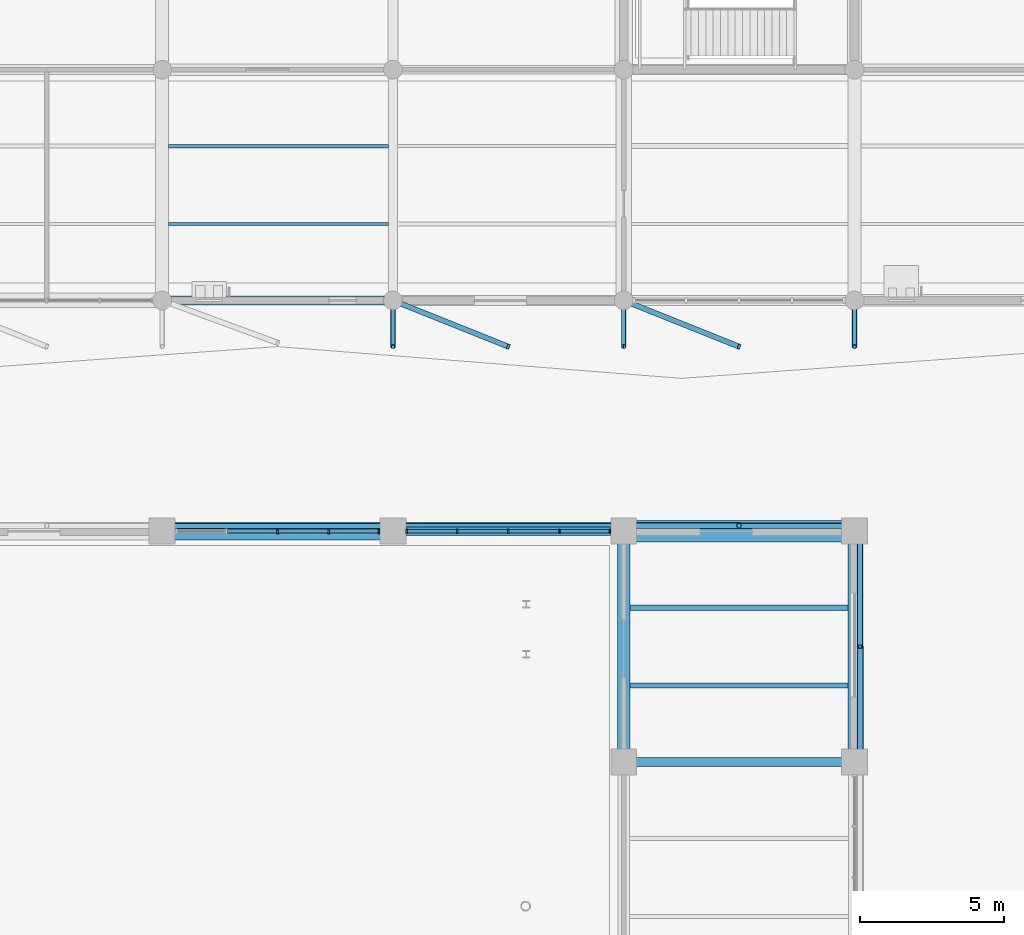
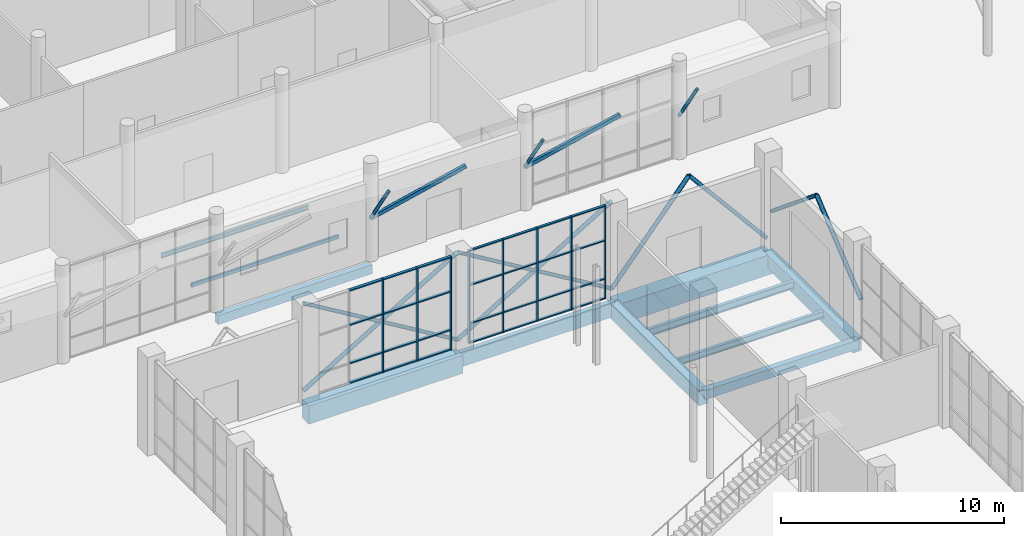
# One storey, part 57 of 123: 49 members, 11 beams, 2 elements without a shape of their own.
"""IFC4 building model written with IfcOpenShell, lengths in metres."""

from ifc_helpers import new_model, si_unit, direction, frame, origin, origin_2d, place, context, subcontext, project, spatial, rectangle, hollow_rectangle, hollow_circle, i_section, extrude, material, material_profile, profile_set, type_object, element, aggregate, save


model = new_model("IFC4")

# Units and contexts
model_context = context("Model", 3, precision=1e-05, world=origin(), true_north=direction((0.0, 1.0)))
body_context = subcontext(model_context, "Body", "Model", "MODEL_VIEW")
ifc_project = project(units=[si_unit("LENGTHUNIT", "METRE"), si_unit("AREAUNIT", "SQUARE_METRE"), si_unit("VOLUMEUNIT", "CUBIC_METRE"), si_unit("PLANEANGLEUNIT", "RADIAN"), si_unit("MASSUNIT", "GRAM", prefix="KILO")], contexts=[model_context])

# Site, building, storey
site_placement = place(None, origin())
site = spatial("IfcSite", under=ifc_project, at=site_placement, CompositionType="ELEMENT")
building_placement = place(site_placement, origin())
building = spatial("IfcBuilding", under=site, at=building_placement, Name="Tenunan Teduh Sports Hall", CompositionType="ELEMENT")
storey_placement = place(building_placement, origin())
storey = spatial("IfcBuildingStorey", under=building, at=storey_placement, Name="L00", CompositionType="ELEMENT", Elevation=0.0)

# Beams
ifc_material_1 = material(Name="Concrete C40/50", Category="concrete")
ifc_material_profile_1 = material_profile(ifc_material_1, rectangle(XDim=0.300048828125, YDim=0.5, at=origin_2d()), Name="RCB 300x500")
ifc_profile_set_1 = profile_set([ifc_material_profile_1], Name="Concrete C40/50")
beam_type_1 = type_object("IfcBeamType", Name="BM-RC-300x500", PredefinedType="BEAM", material=ifc_profile_set_1)
for number, where, z_axis, x_axis, name in (
    (1, (146.0, 70.0, -0.550048828125), (1.0, 0.0, 0.0), (0.0, 1.0, 0.0), "BM-B-01-L00-0673"),
    (2, (130.0, 86.0, -0.530029296875), (1.0, 0.0, 0.0), (0.0, 1.0, 0.0), "BM-B-01-L00-0695"),
):
    element("IfcBeam", number, at=place(storey_placement, frame(where, z_axis=z_axis, x_axis=x_axis)), inside=storey, type_object=beam_type_1, Name=name, PredefinedType="BEAM", context=body_context, shape_type="SweptSolid", body=[
        extrude(rectangle(XDim=0.300048828125, YDim=0.5, at=origin_2d()), origin(), (0.0, 0.0, 1.0), 8.0),
    ])
ifc_material_2 = material(Name="Concrete C40/50", Category="concrete")
ifc_material_profile_2 = material_profile(ifc_material_2, rectangle(XDim=0.449951171875, YDim=0.75, at=origin_2d()), Name="RCB 450x750")
ifc_profile_set_2 = profile_set([ifc_material_profile_2], Name="Concrete C40/50")
beam_type_2 = type_object("IfcBeamType", Name="BM-RC-450x750", PredefinedType="BEAM", material=ifc_profile_set_2)
beam_1_placement = place(storey_placement, frame((154.0, 70.0, -0.675048828125), z_axis=(0.0, 1.0, 0.0), x_axis=(-1.0, 0.0, 0.0)))
element("IfcBeam", 3, at=beam_1_placement, inside=storey, type_object=beam_type_2, Name="BM-B-11-L00-0881", PredefinedType="BEAM", context=body_context, shape_type="SweptSolid", body=[
    extrude(rectangle(XDim=0.449951171875, YDim=0.75, at=origin_2d()), origin(), (0.0, 0.0, 1.0), 8.0),
])
ifc_material_3 = material(Name="Concrete C40/50", Category="concrete")
ifc_material_profile_3 = material_profile(ifc_material_3, rectangle(XDim=0.449951171875, YDim=0.85009765625, at=origin_2d()), Name="RCB 450x850")
ifc_profile_set_3 = profile_set([ifc_material_profile_3], Name="Concrete C40/50")
beam_type_3 = type_object("IfcBeamType", Name="BM-RC-450x850", PredefinedType="BEAM", material=ifc_profile_set_3)
beam_2_placement = place(storey_placement, frame((146.0, 70.0, -0.72509765625), z_axis=(0.0, 1.0, 0.0), x_axis=(-1.0, 0.0, 0.0)))
element("IfcBeam", 4, at=beam_2_placement, inside=storey, type_object=beam_type_3, Name="BM-B-13-L00-0872", PredefinedType="BEAM", context=body_context, shape_type="SweptSolid", body=[
    extrude(rectangle(XDim=0.449951171875, YDim=0.85009765625, at=origin_2d()), origin(), (0.0, 0.0, 1.0), 8.0),
])
ifc_material_4 = material(Name="Concrete C40/50", Category="concrete")
ifc_material_profile_4 = material_profile(ifc_material_4, rectangle(XDim=0.60009765625, YDim=1.0, at=origin_2d()), Name="RCB 600x1000")
ifc_profile_set_4 = profile_set([ifc_material_profile_4], Name="Concrete C40/50")
beam_type_4 = type_object("IfcBeamType", Name="BM-RC-600x1000", PredefinedType="BEAM", material=ifc_profile_set_4)
beam_3_placement = place(storey_placement, frame((130.0, 78.0, -0.800048828125), z_axis=(1.0, 0.0, 0.0), x_axis=(0.0, 1.0, 0.0)))
element("IfcBeam", 5, at=beam_3_placement, inside=storey, type_object=beam_type_4, Name="BM-B-18-L00-0680", PredefinedType="BEAM", context=body_context, shape_type="SweptSolid", body=[
    extrude(rectangle(XDim=0.60009765625, YDim=1.0, at=origin_2d()), origin(), (0.0, 0.0, 1.0), 8.0),
])
ifc_material_5 = material(Name="Concrete C40/50", Category="concrete")
ifc_material_profile_5 = material_profile(ifc_material_5, rectangle(XDim=0.75, YDim=1.10009765625, at=origin_2d()), Name="RCB 750x1100")
ifc_profile_set_5 = profile_set([ifc_material_profile_5], Name="Concrete C40/50")
beam_type_5 = type_object("IfcBeamType", Name="BM-RC-750x1100", PredefinedType="SPANDREL", material=ifc_profile_set_5)
beam_4_placement = place(storey_placement, frame((146.0, 78.0, -0.85009765625), z_axis=(1.0, 0.0, 0.0), x_axis=(0.0, 1.0, 0.0)))
element("IfcBeam", 6, at=beam_4_placement, inside=storey, type_object=beam_type_5, Name="BM-B-20-L00-0682", PredefinedType="SPANDREL", context=body_context, shape_type="SweptSolid", body=[
    extrude(rectangle(XDim=0.75, YDim=1.10009765625, at=origin_2d()), origin(), (0.0, 0.0, 1.0), 8.0),
])
ifc_material_6 = material(Name="Concrete C40/50", Category="concrete")
ifc_material_profile_6 = material_profile(ifc_material_6, rectangle(XDim=0.300048828125, YDim=0.75, at=origin_2d()), Name="SPB 300x750")
ifc_profile_set_6 = profile_set([ifc_material_profile_6], Name="Concrete C40/50")
beam_type_6 = type_object("IfcBeamType", Name="BM-SP-300x750", PredefinedType="SPANDREL", material=ifc_profile_set_6)
beam_5_placement = place(storey_placement, frame((138.0, 78.0, -0.675048828125), z_axis=(1.0, 0.0, 0.0), x_axis=(0.0, 1.0, 0.0)))
element("IfcBeam", 7, at=beam_5_placement, inside=storey, type_object=beam_type_6, Name="BM-SP-01-L00-0681", PredefinedType="SPANDREL", context=body_context, shape_type="SweptSolid", body=[
    extrude(rectangle(XDim=0.300048828125, YDim=0.75, at=origin_2d()), origin(), (0.0, 0.0, 1.0), 8.0),
])

# Curtain wall, members
ifc_material_7 = material(Name="Anodised aluminium", Category="aluminium")
curtain_wall_type = type_object("IfcCurtainWallType", Name="CW-UNIT-1", PredefinedType="NOTDEFINED", material=ifc_material_7)
curtain_wall_1_placement = place(storey_placement, origin())
curtain_wall_1 = element("IfcCurtainWall", 8, at=curtain_wall_1_placement, inside=storey, type_object=curtain_wall_type, Name="CW-CWM-150-L00-111", PredefinedType="NOTDEFINED")
ifc_material_8 = material(Name="Anodised aluminium", Category="aluminium")
ifc_material_profile_7 = material_profile(ifc_material_8, rectangle(XDim=0.06005859375, YDim=0.14990234375, at=origin_2d()), Name="CWM 60x150")
ifc_profile_set_7 = profile_set([ifc_material_profile_7], Name="Anodised aluminium")
member_type_1 = type_object("IfcMemberType", Name="CWM-150", PredefinedType="MULLION", material=ifc_profile_set_7)
member_1_placement = place(storey_placement, frame((138.47998046875, 78.0, 0.0), z_axis=(0.0, 0.0, 1.0), x_axis=(1.0, 0.0, 0.0)))
member_1 = element("IfcMember", 9, at=member_1_placement, type_object=member_type_1, Name="CW-01 mullion 1", PredefinedType="MULLION", context=body_context, shape_type="SweptSolid", body=[
    extrude(rectangle(XDim=0.06005859375, YDim=0.14990234375, at=origin_2d()), origin(), (0.0, 0.0, 1.0), 5.1201171875),
])
member_2_placement = place(storey_placement, frame((140.22509765625, 78.0, 0.0), z_axis=(0.0, 0.0, 1.0), x_axis=(1.0, 0.0, 0.0)))
member_2 = element("IfcMember", 10, at=member_2_placement, type_object=member_type_1, Name="CW-01 mullion 2", PredefinedType="MULLION", context=body_context, shape_type="SweptSolid", body=[
    extrude(rectangle(XDim=0.06005859375, YDim=0.14990234375, at=origin_2d()), origin(), (0.0, 0.0, 1.0), 5.1201171875),
])
member_3_placement = place(storey_placement, frame((142.0, 78.0, 0.0), z_axis=(0.0, 0.0, 1.0), x_axis=(1.0, 0.0, 0.0)))
member_3 = element("IfcMember", 11, at=member_3_placement, type_object=member_type_1, Name="CW-01 mullion 3", PredefinedType="MULLION", context=body_context, shape_type="SweptSolid", body=[
    extrude(rectangle(XDim=0.06005859375, YDim=0.14990234375, at=origin_2d()), origin(), (0.0, 0.0, 1.0), 5.1201171875),
])
member_4_placement = place(storey_placement, frame((143.77490234375, 78.0, 0.0), z_axis=(0.0, 0.0, 1.0), x_axis=(1.0, 0.0, 0.0)))
member_4 = element("IfcMember", 12, at=member_4_placement, type_object=member_type_1, Name="CW-01 mullion 4", PredefinedType="MULLION", context=body_context, shape_type="SweptSolid", body=[
    extrude(rectangle(XDim=0.06005859375, YDim=0.14990234375, at=origin_2d()), origin(), (0.0, 0.0, 1.0), 5.1201171875),
])
member_5_placement = place(storey_placement, frame((145.52001953125, 78.0, 0.0), z_axis=(0.0, 0.0, 1.0), x_axis=(1.0, 0.0, 0.0)))
member_5 = element("IfcMember", 13, at=member_5_placement, type_object=member_type_1, Name="CW-01 mullion 5", PredefinedType="MULLION", context=body_context, shape_type="SweptSolid", body=[
    extrude(rectangle(XDim=0.06005859375, YDim=0.14990234375, at=origin_2d()), origin(), (0.0, 0.0, 1.0), 5.1201171875),
])

curtain_wall_2_placement = place(storey_placement, origin())
curtain_wall_2 = element("IfcCurtainWall", 14, at=curtain_wall_2_placement, inside=storey, type_object=curtain_wall_type, Name="CW-CWM-175-L00-110", PredefinedType="NOTDEFINED")
ifc_material_9 = material(Name="Anodised aluminium", Category="aluminium")
ifc_material_profile_8 = material_profile(ifc_material_9, rectangle(XDim=0.06494140625, YDim=0.175048828125, at=origin_2d()), Name="CWM 65x175")
ifc_profile_set_8 = profile_set([ifc_material_profile_8], Name="Anodised aluminium")
member_type_2 = type_object("IfcMemberType", Name="CWM-175", PredefinedType="MULLION", material=ifc_profile_set_8)
member_6_placement = place(storey_placement, frame((134.0, 78.0, 0.0), z_axis=(0.0, 0.0, 1.0), x_axis=(1.0, 0.0, 0.0)))
member_6 = element("IfcMember", 15, at=member_6_placement, type_object=member_type_2, Name="CW-01 mullion 3", PredefinedType="MULLION", context=body_context, shape_type="SweptSolid", body=[
    extrude(rectangle(XDim=0.06494140625, YDim=0.175048828125, at=origin_2d()), origin(), (0.0, 0.0, 1.0), 5.1201171875),
])
member_7_placement = place(storey_placement, frame((135.77490234375, 78.0, 0.0), z_axis=(0.0, 0.0, 1.0), x_axis=(1.0, 0.0, 0.0)))
member_7 = element("IfcMember", 16, at=member_7_placement, type_object=member_type_2, Name="CW-01 mullion 4", PredefinedType="MULLION", context=body_context, shape_type="SweptSolid", body=[
    extrude(rectangle(XDim=0.06494140625, YDim=0.175048828125, at=origin_2d()), origin(), (0.0, 0.0, 1.0), 5.1201171875),
])
member_8_placement = place(storey_placement, frame((137.517578125, 78.0, 0.0), z_axis=(0.0, 0.0, 1.0), x_axis=(1.0, 0.0, 0.0)))
member_8 = element("IfcMember", 17, at=member_8_placement, type_object=member_type_2, Name="CW-01 mullion 5", PredefinedType="MULLION", context=body_context, shape_type="SweptSolid", body=[
    extrude(rectangle(XDim=0.06494140625, YDim=0.175048828125, at=origin_2d()), origin(), (0.0, 0.0, 1.0), 5.1201171875),
])

# Member
ifc_material_10 = material(Name="Anodised aluminium", Category="aluminium")
ifc_material_profile_9 = material_profile(ifc_material_10, rectangle(XDim=0.06005859375, YDim=0.1201171875, at=origin_2d()), Name="CWT 60x120")
ifc_profile_set_9 = profile_set([ifc_material_profile_9], Name="Anodised aluminium")
member_type_3 = type_object("IfcMemberType", Name="CWT-125", PredefinedType="USERDEFINED", material=ifc_profile_set_9)
member_9_placement = place(storey_placement, frame((138.510009765625, 78.0, 0.030029296875), z_axis=(1.0, 0.0, 0.0), x_axis=(0.0, 0.0, 1.0)))
member_9 = element("IfcMember", 18, at=member_9_placement, type_object=member_type_3, Name="CW-01 transom 1.1", ObjectType="TRANSOM", PredefinedType="USERDEFINED", context=body_context, shape_type="SweptSolid", body=[
    extrude(rectangle(XDim=0.06005859375, YDim=0.1201171875, at=origin_2d()), origin(), (0.0, 0.0, 1.0), 1.68505859375),
])

member_10_placement = place(storey_placement, frame((138.510009765625, 78.0, 1.10009765625), z_axis=(1.0, 0.0, 0.0), x_axis=(0.0, 0.0, 1.0)))
member_10 = element("IfcMember", 19, at=member_10_placement, type_object=member_type_3, Name="CW-01 transom 1.2", ObjectType="TRANSOM", PredefinedType="USERDEFINED", context=body_context, shape_type="SweptSolid", body=[
    extrude(rectangle(XDim=0.06005859375, YDim=0.1201171875, at=origin_2d()), origin(), (0.0, 0.0, 1.0), 1.68505859375),
])

member_11_placement = place(storey_placement, frame((138.510009765625, 78.0, 3.199951171875), z_axis=(1.0, 0.0, 0.0), x_axis=(0.0, 0.0, 1.0)))
member_11 = element("IfcMember", 20, at=member_11_placement, type_object=member_type_3, Name="CW-01 transom 1.3", ObjectType="TRANSOM", PredefinedType="USERDEFINED", context=body_context, shape_type="SweptSolid", body=[
    extrude(rectangle(XDim=0.06005859375, YDim=0.1201171875, at=origin_2d()), origin(), (0.0, 0.0, 1.0), 1.68505859375),
])

member_12_placement = place(storey_placement, frame((138.510009765625, 78.0, 5.090087890625), z_axis=(1.0, 0.0, 0.0), x_axis=(0.0, 0.0, 1.0)))
member_12 = element("IfcMember", 21, at=member_12_placement, type_object=member_type_3, Name="CW-01 transom 1.4", ObjectType="TRANSOM", PredefinedType="USERDEFINED", context=body_context, shape_type="SweptSolid", body=[
    extrude(rectangle(XDim=0.06005859375, YDim=0.1201171875, at=origin_2d()), origin(), (0.0, 0.0, 1.0), 1.68505859375),
])

member_13_placement = place(storey_placement, frame((140.2548828125, 78.0, 0.030029296875), z_axis=(1.0, 0.0, 0.0), x_axis=(0.0, 0.0, 1.0)))
member_13 = element("IfcMember", 22, at=member_13_placement, type_object=member_type_3, Name="CW-01 transom 2.1", ObjectType="TRANSOM", PredefinedType="USERDEFINED", context=body_context, shape_type="SweptSolid", body=[
    extrude(rectangle(XDim=0.06005859375, YDim=0.1201171875, at=origin_2d()), origin(), (0.0, 0.0, 1.0), 1.715087890625),
])

member_14_placement = place(storey_placement, frame((140.2548828125, 78.0, 1.10009765625), z_axis=(1.0, 0.0, 0.0), x_axis=(0.0, 0.0, 1.0)))
member_14 = element("IfcMember", 23, at=member_14_placement, type_object=member_type_3, Name="CW-01 transom 2.2", ObjectType="TRANSOM", PredefinedType="USERDEFINED", context=body_context, shape_type="SweptSolid", body=[
    extrude(rectangle(XDim=0.06005859375, YDim=0.1201171875, at=origin_2d()), origin(), (0.0, 0.0, 1.0), 1.715087890625),
])

member_15_placement = place(storey_placement, frame((140.2548828125, 78.0, 3.199951171875), z_axis=(1.0, 0.0, 0.0), x_axis=(0.0, 0.0, 1.0)))
member_15 = element("IfcMember", 24, at=member_15_placement, type_object=member_type_3, Name="CW-01 transom 2.3", ObjectType="TRANSOM", PredefinedType="USERDEFINED", context=body_context, shape_type="SweptSolid", body=[
    extrude(rectangle(XDim=0.06005859375, YDim=0.1201171875, at=origin_2d()), origin(), (0.0, 0.0, 1.0), 1.715087890625),
])

member_16_placement = place(storey_placement, frame((140.2548828125, 78.0, 5.090087890625), z_axis=(1.0, 0.0, 0.0), x_axis=(0.0, 0.0, 1.0)))
member_16 = element("IfcMember", 25, at=member_16_placement, type_object=member_type_3, Name="CW-01 transom 2.4", ObjectType="TRANSOM", PredefinedType="USERDEFINED", context=body_context, shape_type="SweptSolid", body=[
    extrude(rectangle(XDim=0.06005859375, YDim=0.1201171875, at=origin_2d()), origin(), (0.0, 0.0, 1.0), 1.715087890625),
])

member_17_placement = place(storey_placement, frame((142.030029296875, 78.0, 0.030029296875), z_axis=(1.0, 0.0, 0.0), x_axis=(0.0, 0.0, 1.0)))
member_17 = element("IfcMember", 26, at=member_17_placement, type_object=member_type_3, Name="CW-01 transom 3.1", ObjectType="TRANSOM", PredefinedType="USERDEFINED", context=body_context, shape_type="SweptSolid", body=[
    extrude(rectangle(XDim=0.06005859375, YDim=0.1201171875, at=origin_2d()), origin(), (0.0, 0.0, 1.0), 1.715087890625),
])

member_18_placement = place(storey_placement, frame((142.030029296875, 78.0, 1.10009765625), z_axis=(1.0, 0.0, 0.0), x_axis=(0.0, 0.0, 1.0)))
member_18 = element("IfcMember", 27, at=member_18_placement, type_object=member_type_3, Name="CW-01 transom 3.2", ObjectType="TRANSOM", PredefinedType="USERDEFINED", context=body_context, shape_type="SweptSolid", body=[
    extrude(rectangle(XDim=0.06005859375, YDim=0.1201171875, at=origin_2d()), origin(), (0.0, 0.0, 1.0), 1.715087890625),
])

member_19_placement = place(storey_placement, frame((142.030029296875, 78.0, 3.199951171875), z_axis=(1.0, 0.0, 0.0), x_axis=(0.0, 0.0, 1.0)))
member_19 = element("IfcMember", 28, at=member_19_placement, type_object=member_type_3, Name="CW-01 transom 3.3", ObjectType="TRANSOM", PredefinedType="USERDEFINED", context=body_context, shape_type="SweptSolid", body=[
    extrude(rectangle(XDim=0.06005859375, YDim=0.1201171875, at=origin_2d()), origin(), (0.0, 0.0, 1.0), 1.715087890625),
])

member_20_placement = place(storey_placement, frame((142.030029296875, 78.0, 5.090087890625), z_axis=(1.0, 0.0, 0.0), x_axis=(0.0, 0.0, 1.0)))
member_20 = element("IfcMember", 29, at=member_20_placement, type_object=member_type_3, Name="CW-01 transom 3.4", ObjectType="TRANSOM", PredefinedType="USERDEFINED", context=body_context, shape_type="SweptSolid", body=[
    extrude(rectangle(XDim=0.06005859375, YDim=0.1201171875, at=origin_2d()), origin(), (0.0, 0.0, 1.0), 1.715087890625),
])

member_21_placement = place(storey_placement, frame((143.804931640625, 78.0, 0.030029296875), z_axis=(1.0, 0.0, 0.0), x_axis=(0.0, 0.0, 1.0)))
member_21 = element("IfcMember", 30, at=member_21_placement, type_object=member_type_3, Name="CW-01 transom 4.1", ObjectType="TRANSOM", PredefinedType="USERDEFINED", context=body_context, shape_type="SweptSolid", body=[
    extrude(rectangle(XDim=0.06005859375, YDim=0.1201171875, at=origin_2d()), origin(), (0.0, 0.0, 1.0), 1.68505859375),
])

member_22_placement = place(storey_placement, frame((143.804931640625, 78.0, 1.10009765625), z_axis=(1.0, 0.0, 0.0), x_axis=(0.0, 0.0, 1.0)))
member_22 = element("IfcMember", 31, at=member_22_placement, type_object=member_type_3, Name="CW-01 transom 4.2", ObjectType="TRANSOM", PredefinedType="USERDEFINED", context=body_context, shape_type="SweptSolid", body=[
    extrude(rectangle(XDim=0.06005859375, YDim=0.1201171875, at=origin_2d()), origin(), (0.0, 0.0, 1.0), 1.68505859375),
])

member_23_placement = place(storey_placement, frame((143.804931640625, 78.0, 3.199951171875), z_axis=(1.0, 0.0, 0.0), x_axis=(0.0, 0.0, 1.0)))
member_23 = element("IfcMember", 32, at=member_23_placement, type_object=member_type_3, Name="CW-01 transom 4.3", ObjectType="TRANSOM", PredefinedType="USERDEFINED", context=body_context, shape_type="SweptSolid", body=[
    extrude(rectangle(XDim=0.06005859375, YDim=0.1201171875, at=origin_2d()), origin(), (0.0, 0.0, 1.0), 1.68505859375),
])

member_24_placement = place(storey_placement, frame((143.804931640625, 78.0, 5.090087890625), z_axis=(1.0, 0.0, 0.0), x_axis=(0.0, 0.0, 1.0)))
member_24 = element("IfcMember", 33, at=member_24_placement, type_object=member_type_3, Name="CW-01 transom 4.4", ObjectType="TRANSOM", PredefinedType="USERDEFINED", context=body_context, shape_type="SweptSolid", body=[
    extrude(rectangle(XDim=0.06005859375, YDim=0.1201171875, at=origin_2d()), origin(), (0.0, 0.0, 1.0), 1.68505859375),
])

aggregate(curtain_wall_1, [member_1, member_2, member_3, member_4, member_5, member_9, member_10, member_11, member_12, member_13, member_14, member_15, member_16, member_17, member_18, member_19, member_20, member_21, member_22, member_23, member_24])

ifc_material_11 = material(Name="Anodised aluminium", Category="aluminium")
ifc_material_profile_10 = material_profile(ifc_material_11, rectangle(XDim=0.06494140625, YDim=0.139892578125, at=origin_2d()), Name="CWT 65x140")
ifc_profile_set_10 = profile_set([ifc_material_profile_10], Name="Anodised aluminium")
member_type_4 = type_object("IfcMemberType", Name="CWT-150", PredefinedType="USERDEFINED", material=ifc_profile_set_10)
member_25_placement = place(storey_placement, frame((132.257568359375, 78.0, 0.032470703125), z_axis=(1.0, 0.0, 0.0), x_axis=(0.0, 0.0, 1.0)))
member_25 = element("IfcMember", 34, at=member_25_placement, type_object=member_type_4, Name="CW-01 transom 2.1", ObjectType="TRANSOM", PredefinedType="USERDEFINED", context=body_context, shape_type="SweptSolid", body=[
    extrude(rectangle(XDim=0.06494140625, YDim=0.139892578125, at=origin_2d()), origin(), (0.0, 0.0, 1.0), 1.7099609375),
])

member_26_placement = place(storey_placement, frame((132.257568359375, 78.0, 1.10009765625), z_axis=(1.0, 0.0, 0.0), x_axis=(0.0, 0.0, 1.0)))
member_26 = element("IfcMember", 35, at=member_26_placement, type_object=member_type_4, Name="CW-01 transom 2.2", ObjectType="TRANSOM", PredefinedType="USERDEFINED", context=body_context, shape_type="SweptSolid", body=[
    extrude(rectangle(XDim=0.06494140625, YDim=0.139892578125, at=origin_2d()), origin(), (0.0, 0.0, 1.0), 1.7099609375),
])

member_27_placement = place(storey_placement, frame((132.257568359375, 78.0, 3.199951171875), z_axis=(1.0, 0.0, 0.0), x_axis=(0.0, 0.0, 1.0)))
member_27 = element("IfcMember", 36, at=member_27_placement, type_object=member_type_4, Name="CW-01 transom 2.3", ObjectType="TRANSOM", PredefinedType="USERDEFINED", context=body_context, shape_type="SweptSolid", body=[
    extrude(rectangle(XDim=0.06494140625, YDim=0.139892578125, at=origin_2d()), origin(), (0.0, 0.0, 1.0), 1.7099609375),
])

member_28_placement = place(storey_placement, frame((132.257568359375, 78.0, 5.08740234375), z_axis=(1.0, 0.0, 0.0), x_axis=(0.0, 0.0, 1.0)))
member_28 = element("IfcMember", 37, at=member_28_placement, type_object=member_type_4, Name="CW-01 transom 2.4", ObjectType="TRANSOM", PredefinedType="USERDEFINED", context=body_context, shape_type="SweptSolid", body=[
    extrude(rectangle(XDim=0.06494140625, YDim=0.139892578125, at=origin_2d()), origin(), (0.0, 0.0, 1.0), 1.7099609375),
])

member_29_placement = place(storey_placement, frame((134.032470703125, 78.0, 0.032470703125), z_axis=(1.0, 0.0, 0.0), x_axis=(0.0, 0.0, 1.0)))
member_29 = element("IfcMember", 38, at=member_29_placement, type_object=member_type_4, Name="CW-01 transom 3.1", ObjectType="TRANSOM", PredefinedType="USERDEFINED", context=body_context, shape_type="SweptSolid", body=[
    extrude(rectangle(XDim=0.06494140625, YDim=0.139892578125, at=origin_2d()), origin(), (0.0, 0.0, 1.0), 1.7099609375),
])

member_30_placement = place(storey_placement, frame((134.032470703125, 78.0, 1.10009765625), z_axis=(1.0, 0.0, 0.0), x_axis=(0.0, 0.0, 1.0)))
member_30 = element("IfcMember", 39, at=member_30_placement, type_object=member_type_4, Name="CW-01 transom 3.2", ObjectType="TRANSOM", PredefinedType="USERDEFINED", context=body_context, shape_type="SweptSolid", body=[
    extrude(rectangle(XDim=0.06494140625, YDim=0.139892578125, at=origin_2d()), origin(), (0.0, 0.0, 1.0), 1.7099609375),
])

member_31_placement = place(storey_placement, frame((134.032470703125, 78.0, 3.199951171875), z_axis=(1.0, 0.0, 0.0), x_axis=(0.0, 0.0, 1.0)))
member_31 = element("IfcMember", 40, at=member_31_placement, type_object=member_type_4, Name="CW-01 transom 3.3", ObjectType="TRANSOM", PredefinedType="USERDEFINED", context=body_context, shape_type="SweptSolid", body=[
    extrude(rectangle(XDim=0.06494140625, YDim=0.139892578125, at=origin_2d()), origin(), (0.0, 0.0, 1.0), 1.7099609375),
])

member_32_placement = place(storey_placement, frame((134.032470703125, 78.0, 5.08740234375), z_axis=(1.0, 0.0, 0.0), x_axis=(0.0, 0.0, 1.0)))
member_32 = element("IfcMember", 41, at=member_32_placement, type_object=member_type_4, Name="CW-01 transom 3.4", ObjectType="TRANSOM", PredefinedType="USERDEFINED", context=body_context, shape_type="SweptSolid", body=[
    extrude(rectangle(XDim=0.06494140625, YDim=0.139892578125, at=origin_2d()), origin(), (0.0, 0.0, 1.0), 1.7099609375),
])

member_33_placement = place(storey_placement, frame((135.8076171875, 78.0, 0.032470703125), z_axis=(1.0, 0.0, 0.0), x_axis=(0.0, 0.0, 1.0)))
member_33 = element("IfcMember", 42, at=member_33_placement, type_object=member_type_4, Name="CW-01 transom 4.1", ObjectType="TRANSOM", PredefinedType="USERDEFINED", context=body_context, shape_type="SweptSolid", body=[
    extrude(rectangle(XDim=0.06494140625, YDim=0.139892578125, at=origin_2d()), origin(), (0.0, 0.0, 1.0), 1.677490234375),
])

member_34_placement = place(storey_placement, frame((135.8076171875, 78.0, 1.10009765625), z_axis=(1.0, 0.0, 0.0), x_axis=(0.0, 0.0, 1.0)))
member_34 = element("IfcMember", 43, at=member_34_placement, type_object=member_type_4, Name="CW-01 transom 4.2", ObjectType="TRANSOM", PredefinedType="USERDEFINED", context=body_context, shape_type="SweptSolid", body=[
    extrude(rectangle(XDim=0.06494140625, YDim=0.139892578125, at=origin_2d()), origin(), (0.0, 0.0, 1.0), 1.677490234375),
])

member_35_placement = place(storey_placement, frame((135.8076171875, 78.0, 3.199951171875), z_axis=(1.0, 0.0, 0.0), x_axis=(0.0, 0.0, 1.0)))
member_35 = element("IfcMember", 44, at=member_35_placement, type_object=member_type_4, Name="CW-01 transom 4.3", ObjectType="TRANSOM", PredefinedType="USERDEFINED", context=body_context, shape_type="SweptSolid", body=[
    extrude(rectangle(XDim=0.06494140625, YDim=0.139892578125, at=origin_2d()), origin(), (0.0, 0.0, 1.0), 1.677490234375),
])

member_36_placement = place(storey_placement, frame((135.8076171875, 78.0, 5.08740234375), z_axis=(1.0, 0.0, 0.0), x_axis=(0.0, 0.0, 1.0)))
member_36 = element("IfcMember", 45, at=member_36_placement, type_object=member_type_4, Name="CW-01 transom 4.4", ObjectType="TRANSOM", PredefinedType="USERDEFINED", context=body_context, shape_type="SweptSolid", body=[
    extrude(rectangle(XDim=0.06494140625, YDim=0.139892578125, at=origin_2d()), origin(), (0.0, 0.0, 1.0), 1.677490234375),
])

aggregate(curtain_wall_2, [member_6, member_7, member_8, member_25, member_26, member_27, member_28, member_29, member_30, member_31, member_32, member_33, member_34, member_35, member_36])

# Beams
ifc_material_12 = material(Name="Steel S355", Category="steel")
ifc_material_profile_11 = material_profile(ifc_material_12, i_section(OverallWidth=0.1201171875, OverallDepth=0.239990234375, WebThickness=0.006103515625, FlangeThickness=0.009765625, FilletRadius=0.014892578125, at=origin_2d()), Name="IPE 240")
ifc_profile_set_11 = profile_set([ifc_material_profile_11], Name="Steel S355")
beam_type_7 = type_object("IfcBeamType", Name="JST-IPE240", PredefinedType="JOIST", material=ifc_profile_set_11)
beam_6_placement = place(storey_placement, frame((130.22509765625, 91.35009765625, -0.39990234375), z_axis=(1.0, 0.0, 0.0), x_axis=(0.0, 1.0, 0.0)))
element("IfcBeam", 46, at=beam_6_placement, inside=storey, type_object=beam_type_7, Name="BM-J-02-L00-1013", PredefinedType="JOIST", context=body_context, shape_type="SweptSolid", body=[
    extrude(i_section(OverallWidth=0.1201171875, OverallDepth=0.239990234375, WebThickness=0.006103515625, FlangeThickness=0.009765625, FilletRadius=0.014892578125, at=origin_2d()), origin(), (0.0, 0.0, 1.0), 7.625),
])
ifc_material_13 = material(Name="Steel S355", Category="steel")
ifc_material_profile_12 = material_profile(ifc_material_13, i_section(OverallWidth=0.169921875, OverallDepth=0.360107421875, WebThickness=0.008056640625, FlangeThickness=0.0126953125, FilletRadius=0.01806640625, at=origin_2d()), Name="IPE 360")
ifc_profile_set_12 = profile_set([ifc_material_profile_12], Name="Steel S355")
beam_type_8 = type_object("IfcBeamType", Name="JST-IPE360", PredefinedType="JOIST", material=ifc_profile_set_12)
beam_7_placement = place(storey_placement, frame((146.22509765625, 72.64990234375, -0.47998046875), z_axis=(1.0, 0.0, 0.0), x_axis=(0.0, 1.0, 0.0)))
element("IfcBeam", 47, at=beam_7_placement, inside=storey, type_object=beam_type_8, Name="BM-J-05-L00-1038", PredefinedType="JOIST", context=body_context, shape_type="SweptSolid", body=[
    extrude(i_section(OverallWidth=0.169921875, OverallDepth=0.360107421875, WebThickness=0.008056640625, FlangeThickness=0.0126953125, FilletRadius=0.01806640625, at=origin_2d()), origin(), (0.0, 0.0, 1.0), 7.5498046875),
])
ifc_material_14 = material(Name="Steel S355", Category="steel")
ifc_material_profile_13 = material_profile(ifc_material_14, i_section(OverallWidth=0.179931640625, OverallDepth=0.39990234375, WebThickness=0.008544921875, FlangeThickness=0.013427734375, FilletRadius=0.02099609375, at=origin_2d()), Name="IPE 400")
ifc_profile_set_13 = profile_set([ifc_material_profile_13], Name="Steel S355")
beam_type_9 = type_object("IfcBeamType", Name="JST-IPE400", PredefinedType="JOIST", material=ifc_profile_set_13)
beam_8_placement = place(storey_placement, frame((146.22509765625, 75.35009765625, -0.5), z_axis=(1.0, 0.0, 0.0), x_axis=(0.0, 1.0, 0.0)))
element("IfcBeam", 48, at=beam_8_placement, inside=storey, type_object=beam_type_9, Name="BM-J-06-L00-1039", PredefinedType="JOIST", context=body_context, shape_type="SweptSolid", body=[
    extrude(i_section(OverallWidth=0.179931640625, OverallDepth=0.39990234375, WebThickness=0.008544921875, FlangeThickness=0.013427734375, FilletRadius=0.02099609375, at=origin_2d()), origin(), (0.0, 0.0, 1.0), 7.5498046875),
])

# Members
ifc_material_15 = material(Name="Steel S355", Category="steel")
ifc_material_profile_14 = material_profile(ifc_material_15, hollow_circle(Radius=0.084228515625, WallThickness=0.008056640625, at=origin_2d()), Name="CHS 168.3x8.0")
ifc_profile_set_14 = profile_set([ifc_material_profile_14], Name="Steel S355")
member_type_5 = type_object("IfcMemberType", Name="MEM-BR-CHS168", PredefinedType="BRACE", material=ifc_profile_set_14)
for number, where, z_axis, x_axis, name in (
    (49, (138.0, 86.0, 2.199951171875), (0.0, -0.551511423487, 0.834167339186), (1.0, 0.0, 0.0), "MEM-GD-04-L00-1161"),
    (50, (146.0, 86.0, 2.199951171875), (0.0, -0.551511423487, 0.834167339186), (1.0, 0.0, 0.0), "MEM-GD-04-L00-1165"),
    (51, (154.0, 86.0, 2.199951171875), (0.0, -0.551511423487, 0.834167339186), (1.0, 0.0, 0.0), "MEM-GD-04-L00-1169"),
):
    element("IfcMember", number, at=place(storey_placement, frame(where, z_axis=z_axis, x_axis=x_axis)), inside=storey, type_object=member_type_5, Name=name, PredefinedType="BRACE", context=body_context, shape_type="SweptSolid", body=[
        extrude(hollow_circle(Radius=0.084228515625, WallThickness=0.008056640625, at=origin_2d()), origin(), (0.0, 0.0, 1.0), 2.9013671875),
    ])
ifc_material_16 = material(Name="Steel S355", Category="steel")
ifc_material_profile_15 = material_profile(ifc_material_16, hollow_circle(Radius=0.096923828125, WallThickness=0.008056640625, at=origin_2d()), Name="CHS 193.7x8.0")
ifc_profile_set_15 = profile_set([ifc_material_profile_15], Name="Steel S355")
member_type_6 = type_object("IfcMemberType", Name="MEM-BR-CHS194", PredefinedType="BRACE", material=ifc_profile_set_15)
for number, where, z_axis, x_axis, name in (
    (52, (138.0, 78.18994140625, 0.25), (-0.857490616715, 0.0, 0.514499603737), (0.0, -1.0, 0.0), "MEM-GD-03-L00-1047"),
    (53, (146.0, 78.18994140625, 0.25), (-0.857490616715, 0.0, 0.514499603737), (0.0, -1.0, 0.0), "MEM-GD-03-L00-1049"),
):
    element("IfcMember", number, at=place(storey_placement, frame(where, z_axis=z_axis, x_axis=x_axis)), inside=storey, type_object=member_type_6, Name=name, PredefinedType="BRACE", context=body_context, shape_type="SweptSolid", body=[
        extrude(hollow_circle(Radius=0.096923828125, WallThickness=0.008056640625, at=origin_2d()), origin(), (0.0, 0.0, 1.0), 9.32958984375),
    ])
member_37_placement = place(storey_placement, frame((154.0, 78.18994140625, 0.25), z_axis=(-0.640180556359, 0.0, 0.768224482335), x_axis=(0.0, -1.0, 0.0)))
element("IfcMember", 54, at=member_37_placement, inside=storey, type_object=member_type_6, Name="MEM-GD-03-L00-1051", PredefinedType="BRACE", context=body_context, shape_type="SweptSolid", body=[
    extrude(hollow_circle(Radius=0.096923828125, WallThickness=0.008056640625, at=origin_2d()), origin(), (0.0, 0.0, 1.0), 6.248291015625),
])
member_38_placement = place(storey_placement, frame((154.18994140625, 78.0, 1.75), z_axis=(0.0, -0.771368656251, 0.636388557529), x_axis=(1.0, 0.0, 0.0)))
element("IfcMember", 55, at=member_38_placement, inside=storey, type_object=member_type_6, Name="MEM-GD-03-L00-1059", PredefinedType="BRACE", context=body_context, shape_type="SweptSolid", body=[
    extrude(hollow_circle(Radius=0.096923828125, WallThickness=0.008056640625, at=origin_2d()), origin(), (0.0, 0.0, 1.0), 5.185546875),
])
ifc_material_17 = material(Name="Steel S355", Category="steel")
ifc_material_profile_16 = material_profile(ifc_material_17, hollow_circle(Radius=0.109619140625, WallThickness=0.010009765625, at=origin_2d()), Name="CHS 219.1x10.0")
ifc_profile_set_16 = profile_set([ifc_material_profile_16], Name="Steel S355")
member_type_7 = type_object("IfcMemberType", Name="MEM-BR-CHS219", PredefinedType="BRACE", material=ifc_profile_set_16)
for number, where, z_axis, x_axis, name in (
    (56, (130.0, 78.199951171875, 0.25), (0.857490616715, 0.0, 0.514499603737), (0.0, 1.0, 0.0), "MEM-GD-02-L00-1046"),
    (57, (138.0, 78.199951171875, 0.25), (0.857490616715, 0.0, 0.514499603737), (0.0, 1.0, 0.0), "MEM-GD-02-L00-1048"),
):
    element("IfcMember", number, at=place(storey_placement, frame(where, z_axis=z_axis, x_axis=x_axis)), inside=storey, type_object=member_type_7, Name=name, PredefinedType="BRACE", context=body_context, shape_type="SweptSolid", body=[
        extrude(hollow_circle(Radius=0.109619140625, WallThickness=0.010009765625, at=origin_2d()), origin(), (0.0, 0.0, 1.0), 9.32958984375),
    ])
member_39_placement = place(storey_placement, frame((146.0, 78.199951171875, 0.25), z_axis=(0.640180556359, 0.0, 0.768224482335), x_axis=(0.0, 1.0, 0.0)))
element("IfcMember", 58, at=member_39_placement, inside=storey, type_object=member_type_7, Name="MEM-GD-02-L00-1050", PredefinedType="BRACE", context=body_context, shape_type="SweptSolid", body=[
    extrude(hollow_circle(Radius=0.109619140625, WallThickness=0.010009765625, at=origin_2d()), origin(), (0.0, 0.0, 1.0), 6.248291015625),
])
member_40_placement = place(storey_placement, frame((154.199951171875, 70.0, 1.75), z_axis=(0.0, 0.771368656251, 0.636388557529), x_axis=(-1.0, 0.0, 0.0)))
element("IfcMember", 59, at=member_40_placement, inside=storey, type_object=member_type_7, Name="MEM-GD-02-L00-1058", PredefinedType="BRACE", context=body_context, shape_type="SweptSolid", body=[
    extrude(hollow_circle(Radius=0.109619140625, WallThickness=0.010009765625, at=origin_2d()), origin(), (0.0, 0.0, 1.0), 5.185546875),
])
ifc_material_18 = material(Name="Steel S355", Category="steel")
ifc_material_profile_17 = material_profile(ifc_material_18, hollow_rectangle(XDim=0.179931640625, YDim=0.179931640625, WallThickness=0.010009765625, at=origin_2d()), Name="SHS 180x180x10.0")
ifc_profile_set_17 = profile_set([ifc_material_profile_17], Name="Steel S355")
member_type_8 = type_object("IfcMemberType", Name="MEM-ST-SHS180", PredefinedType="STRUT", material=ifc_profile_set_17)
for number, where, z_axis, x_axis, name in (
    (60, (138.0, 86.0, 2.199951171875), (0.809485829099, -0.323814094477, 0.489772523429), (0.37141021739, 0.928468874232, 0.0), "MEM-VS-03-L00-1164"),
    (61, (146.0, 86.0, 2.199951171875), (0.809485829099, -0.323814094477, 0.489772523429), (0.37141021739, 0.928468874232, 0.0), "MEM-VS-03-L00-1168"),
):
    element("IfcMember", number, at=place(storey_placement, frame(where, z_axis=z_axis, x_axis=x_axis)), inside=storey, type_object=member_type_8, Name=name, PredefinedType="STRUT", context=body_context, shape_type="SweptSolid", body=[
        extrude(hollow_rectangle(XDim=0.179931640625, YDim=0.179931640625, WallThickness=0.010009765625, at=origin_2d()), origin(), (0.0, 0.0, 1.0), 4.94140625),
    ])

# Beam
ifc_material_19 = material(Name="Steel S355", Category="steel")
ifc_material_profile_18 = material_profile(ifc_material_19, hollow_rectangle(XDim=0.10009765625, YDim=0.199951171875, WallThickness=0.008056640625, at=origin_2d()), Name="RHS 200x100x8.0")
ifc_profile_set_18 = profile_set([ifc_material_profile_18], Name="Steel S355")
beam_type_10 = type_object("IfcBeamType", Name="RBM-RHS200", PredefinedType="JOIST", material=ifc_profile_set_18)
beam_9_placement = place(storey_placement, frame((130.22509765625, 88.64990234375, -0.3798828125), z_axis=(1.0, 0.0, 0.0), x_axis=(0.0, 1.0, 0.0)))
element("IfcBeam", 62, at=beam_9_placement, inside=storey, type_object=beam_type_10, Name="Perimeter Ring Beam BM-RB-05-L00-1012", PredefinedType="JOIST", context=body_context, shape_type="SweptSolid", body=[
    extrude(hollow_rectangle(XDim=0.10009765625, YDim=0.199951171875, WallThickness=0.008056640625, at=origin_2d()), origin(), (0.0, 0.0, 1.0), 7.625),
])

save(model, "model.ifc")
